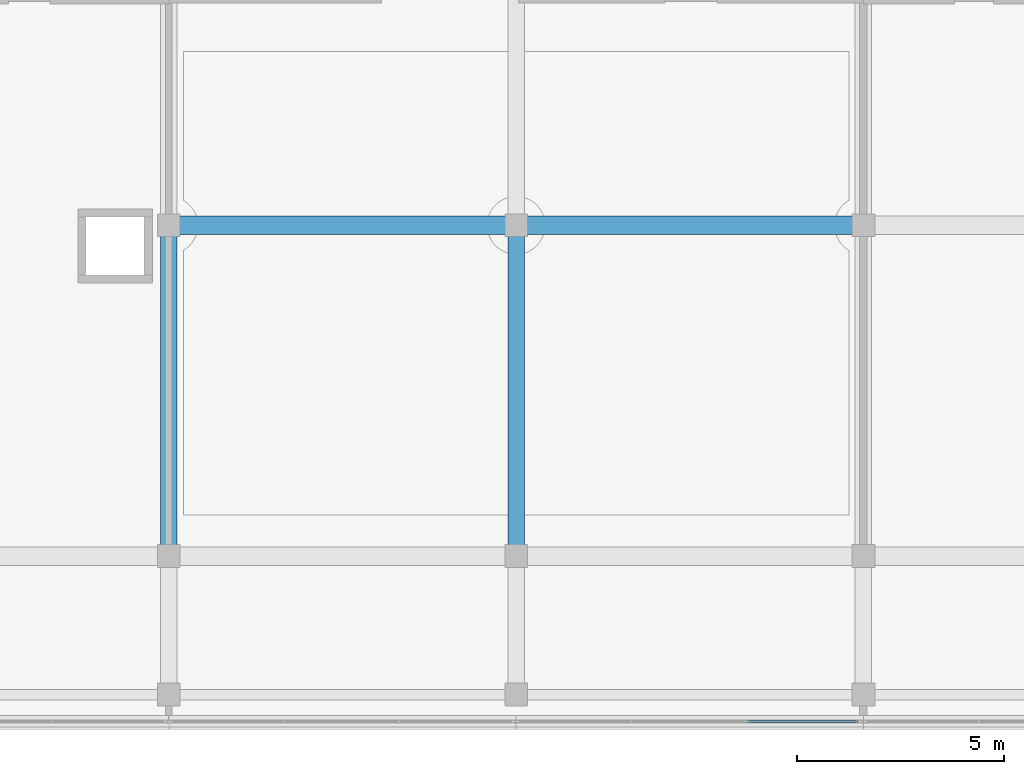
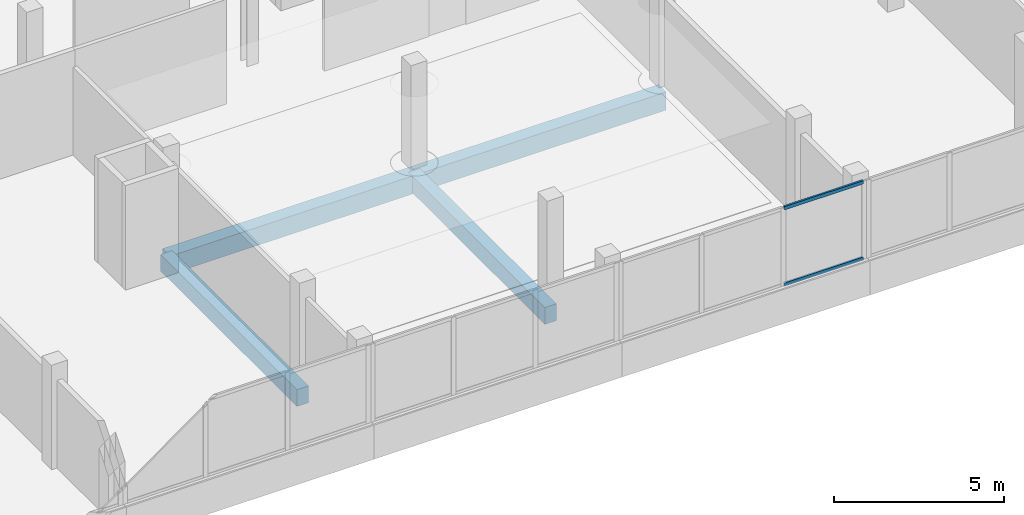
# One storey, part 36 of 67: 4 beams, 2 members, 1 element without a shape of its own.
"""IFC4 building model written with IfcOpenShell, lengths in metres."""

from ifc_helpers import new_model, si_unit, direction, frame, origin, origin_2d, place, context, subcontext, project, spatial, rectangle, hollow_rectangle, extrude, material, material_profile, profile_set, type_object, element, aggregate, save


model = new_model("IFC4")

# Units and contexts
model_context = context("Model", 3, precision=1e-05, world=origin(), true_north=direction((0.0, 1.0)))
body_context = subcontext(model_context, "Body", "Model", "MODEL_VIEW")
ifc_project = project(units=[si_unit("LENGTHUNIT", "METRE"), si_unit("AREAUNIT", "SQUARE_METRE"), si_unit("VOLUMEUNIT", "CUBIC_METRE"), si_unit("PLANEANGLEUNIT", "RADIAN"), si_unit("MASSUNIT", "GRAM", prefix="KILO")], contexts=[model_context])

# Site, building, storey
site_placement = place(None, origin())
site = spatial("IfcSite", under=ifc_project, at=site_placement, CompositionType="ELEMENT")
building_placement = place(site_placement, origin())
building = spatial("IfcBuilding", under=site, at=building_placement, Name="Selatvlak General Hospital", CompositionType="ELEMENT")
storey_placement = place(building_placement, frame((0.0, 0.0, 35.39990234375)))
storey = spatial("IfcBuildingStorey", under=building, at=storey_placement, Name="L08", CompositionType="ELEMENT", Elevation=35.39990234375)

# Beams
ifc_material_1 = material(Name="Concrete C40/50", Category="concrete")
ifc_material_profile_1 = material_profile(ifc_material_1, rectangle(XDim=0.449951171875, YDim=0.64990234375, at=origin_2d()), Name="RC-BM 450x650")
ifc_profile_set_1 = profile_set([ifc_material_profile_1], Name="Concrete C40/50")
beam_type_1 = type_object("IfcBeamType", Name="BM-G04", PredefinedType="BEAM", material=ifc_profile_set_1)
for number, where, z_axis, x_axis, name in (
    (1, (123.60009765625, 100.0, -0.58984375), (1.0, 0.0, 0.0), (0.0, 1.0, 0.0), "Beam BMR-L08-2598"),
    (2, (132.0, 100.0, -0.58984375), (1.0, 0.0, 0.0), (0.0, 1.0, 0.0), "Beam BMR-L08-2599"),
):
    element("IfcBeam", number, at=place(storey_placement, frame(where, z_axis=z_axis, x_axis=x_axis)), inside=storey, type_object=beam_type_1, Name=name, PredefinedType="BEAM", context=body_context, shape_type="SweptSolid", body=[
        extrude(rectangle(XDim=0.449951171875, YDim=0.64990234375, at=origin_2d()), origin(), (0.0, 0.0, 1.0), 8.39990234375),
    ])
ifc_material_profile_2 = material_profile(ifc_material_1, rectangle(XDim=0.39990234375, YDim=0.60009765625, at=origin_2d()), Name="RC-BM 400x600")
ifc_profile_set_2 = profile_set([ifc_material_profile_2], Name="Concrete C40/50")
beam_type_2 = type_object("IfcBeamType", Name="BM-G05", PredefinedType="BEAM", material=ifc_profile_set_2)
for number, where, z_axis, x_axis, name in (
    (3, (123.60009765625, 92.0, -0.56494140625), (0.0, 1.0, 0.0), (-1.0, 0.0, 0.0), "Beam BMR-L08-2690"),
    (4, (132.0, 92.0, -0.56494140625), (0.0, 1.0, 0.0), (-1.0, 0.0, 0.0), "Beam BMR-L08-2695"),
):
    element("IfcBeam", number, at=place(storey_placement, frame(where, z_axis=z_axis, x_axis=x_axis)), inside=storey, type_object=beam_type_2, Name=name, PredefinedType="BEAM", context=body_context, shape_type="SweptSolid", body=[
        extrude(rectangle(XDim=0.39990234375, YDim=0.60009765625, at=origin_2d()), origin(), (0.0, 0.0, 1.0), 8.0),
    ])

# Curtain wall, members
ifc_material_2 = material(Name="Solar-control Low-E double glazing", Category="glass")
curtain_wall_type = type_object("IfcCurtainWallType", Name="CW-CW-02", PredefinedType="USERDEFINED", material=ifc_material_2)
curtain_wall_placement = place(storey_placement, origin())
curtain_wall = element("IfcCurtainWall", 5, at=curtain_wall_placement, inside=storey, type_object=curtain_wall_type, Name="Glazed facade curtain wall CW-L08-0703", ObjectType="UNITISED CURTAIN WALL", PredefinedType="USERDEFINED")
ifc_material_3 = material(Name="Dark anodised aluminium mullion", Category="aluminium")
ifc_material_profile_3 = material_profile(ifc_material_3, hollow_rectangle(XDim=0.06494140625, YDim=0.1201171875, WallThickness=0.00390625, at=origin_2d()), Name="AL-TRN 65x120x4")
ifc_profile_set_3 = profile_set([ifc_material_profile_3], Name="Dark anodised aluminium mullion")
member_type = type_object("IfcMemberType", Name="CWT-01", PredefinedType="USERDEFINED", material=ifc_profile_set_3)
member_1_placement = place(storey_placement, frame((140.27001953125, 88.0009765625, 0.97265625), z_axis=(-1.0, 0.0, 0.0), x_axis=(0.0, -1.0, 0.0)))
member_1 = element("IfcMember", 6, at=member_1_placement, type_object=member_type, Name="CW-02 transom 1.1", ObjectType="TRANSOM", PredefinedType="USERDEFINED", context=body_context, shape_type="SweptSolid", body=[
    extrude(hollow_rectangle(XDim=0.06494140625, YDim=0.1201171875, WallThickness=0.00390625, at=origin_2d()), origin(), (0.0, 0.0, 1.0), 2.67578125),
])
member_2_placement = place(storey_placement, frame((140.27001953125, 88.0009765625, 3.70751953125), z_axis=(-1.0, 0.0, 0.0), x_axis=(0.0, -1.0, 0.0)))
member_2 = element("IfcMember", 7, at=member_2_placement, type_object=member_type, Name="CW-02 transom 1.2", ObjectType="TRANSOM", PredefinedType="USERDEFINED", context=body_context, shape_type="SweptSolid", body=[
    extrude(hollow_rectangle(XDim=0.06494140625, YDim=0.1201171875, WallThickness=0.00390625, at=origin_2d()), origin(), (0.0, 0.0, 1.0), 2.67578125),
])
aggregate(curtain_wall, [member_1, member_2])

save(model, "model.ifc")
